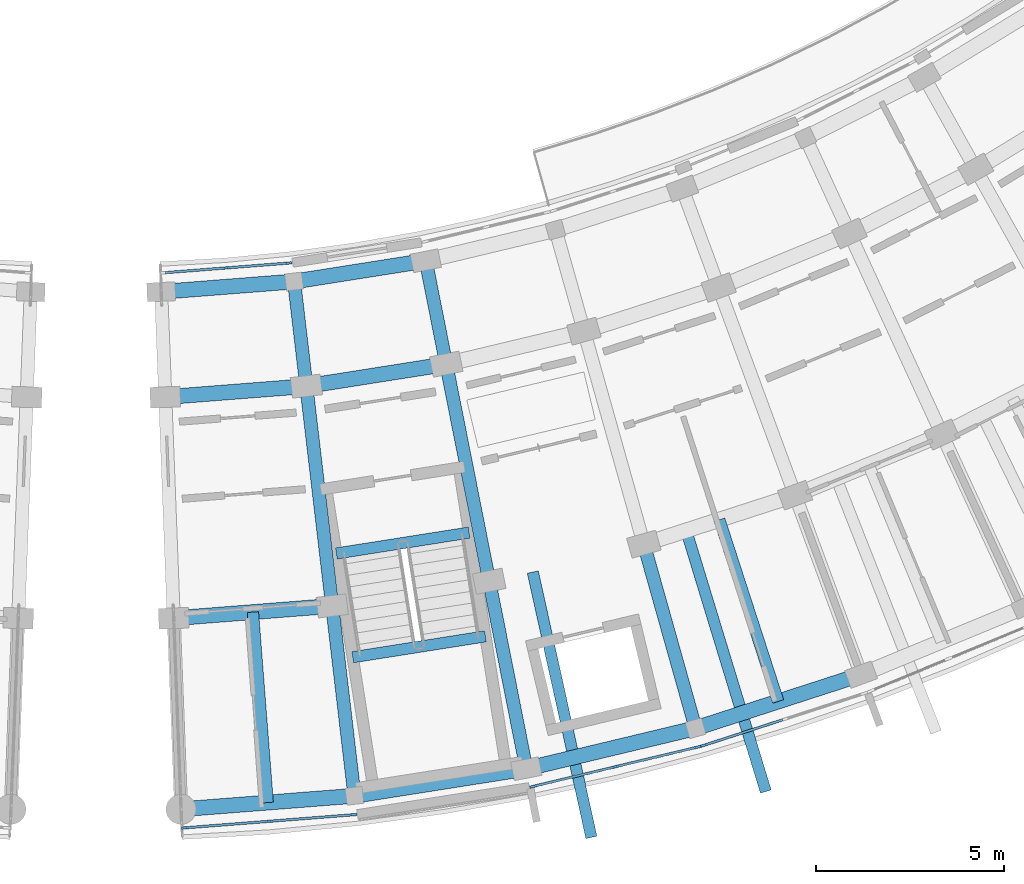
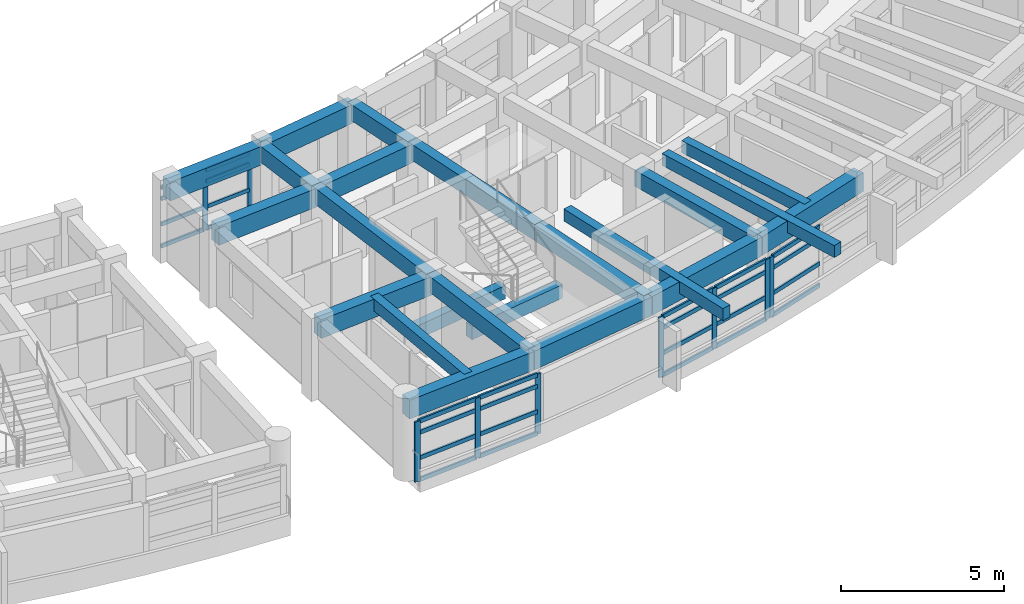
# One storey, part 16 of 56: 37 members, 22 beams, 4 elements without a shape of their own.
"""IFC4 building model written with IfcOpenShell, lengths in metres."""

import ifcopenshell
import ifcopenshell.guid

model = None  # the IFC model being written
_history = None  # IfcOwnerHistory: only IFC2X3 demands one
_inside = {}  # id of a spatial element -> (the spatial element, [elements in it])
_under = {}  # id of a project, library or spatial element -> (it, [spatial elements below it])
_declared = {}  # id of a project -> (the project, [libraries it declares])
_typed = {}  # id of a type object -> (the type object, [elements of that type])
_made_of = {}  # id of a material, layer set ... -> (it, [elements and type objects made of it])


def new_model(schema):
    """Start an empty IFC model of exactly this schema.

    Asked for "IFC4X3", IfcOpenShell would pick the latest addendum, in which some entities
    have other attributes; the version numbers below select the first issue.
    IFC2X3 requires an IfcOwnerHistory on every rooted entity: one is made here for all.
    """
    global model, _history
    if schema == "IFC4X3":
        model = ifcopenshell.file(schema_version=(4, 3, 0, 0))
    else:
        model = ifcopenshell.file(schema=schema)
    _inside.clear()
    _under.clear()
    _declared.clear()
    _typed.clear()
    _made_of.clear()
    _history = None
    if model.schema == "IFC2X3":
        org = make("IfcOrganization", Name="unknown")
        user = make(
            "IfcPersonAndOrganization",
            ThePerson=make("IfcPerson", FamilyName="unknown"),
            TheOrganization=org,
        )
        app = make(
            "IfcApplication",
            ApplicationDeveloper=org,
            Version="unknown",
            ApplicationFullName="unknown",
            ApplicationIdentifier="unknown",
        )
        _history = make(
            "IfcOwnerHistory",
            OwningUser=user,
            OwningApplication=app,
            ChangeAction="ADDED",
            CreationDate=0,
        )
    return model


def make(cls, **values):
    """One entity of the class cls with the attributes given. An attribute that is None is left unset."""
    return model.create_entity(
        cls, **{name: value for name, value in values.items() if value is not None}
    )


def rooted(cls, **values):
    """An entity with a GlobalId (a new one), such as an element, a storey or a relation."""
    return make(cls, GlobalId=ifcopenshell.guid.new(), OwnerHistory=_history, **values)


def si_unit(unit_type, name, prefix=None):
    """IfcSIUnit, for example si_unit("LENGTHUNIT", "METRE", prefix="MILLI")."""
    return make("IfcSIUnit", UnitType=unit_type, Prefix=prefix, Name=name)


def assignment(units):
    """IfcUnitAssignment: the units of a project."""
    return None if units is None else make("IfcUnitAssignment", Units=units)


def point(xyz):
    """IfcCartesianPoint."""
    return None if xyz is None else make("IfcCartesianPoint", Coordinates=xyz)


def direction(xyz):
    """IfcDirection."""
    return None if xyz is None else make("IfcDirection", DirectionRatios=xyz)


def frame(location, z_axis=None, x_axis=None):
    """IfcAxis2Placement3D, a coordinate frame: its origin and axes. An axis left out is left unset."""
    return make(
        "IfcAxis2Placement3D",
        Location=point(location),
        Axis=direction(z_axis),
        RefDirection=direction(x_axis),
    )


def frame_2d(location, x_axis=None):
    """IfcAxis2Placement2D, a coordinate frame in the plane: its origin and x axis."""
    return make(
        "IfcAxis2Placement2D", Location=point(location), RefDirection=direction(x_axis)
    )


def origin():
    """The frame at (0, 0, 0) with its axes left unset."""
    return frame((0.0, 0.0, 0.0))


def origin_2d():
    """The frame at (0, 0) in the plane with its x axis left unset."""
    return frame_2d((0.0, 0.0))


def place(relative_to, where):
    """IfcLocalPlacement: puts the frame where relative to a parent placement (None: the world)."""
    return make(
        "IfcLocalPlacement", PlacementRelTo=relative_to, RelativePlacement=where
    )


def context(
    kind, dimensions, precision=None, world=None, true_north=None, identifier=None
):
    """IfcGeometricRepresentationContext, for example the 3D "Model" context."""
    return make(
        "IfcGeometricRepresentationContext",
        ContextIdentifier=identifier,
        ContextType=kind,
        CoordinateSpaceDimension=dimensions,
        Precision=precision,
        WorldCoordinateSystem=world,
        TrueNorth=true_north,
    )


def subcontext(parent, identifier, kind, view, scale=None):
    """IfcGeometricRepresentationSubContext, for example "Body" below "Model"."""
    return make(
        "IfcGeometricRepresentationSubContext",
        ContextIdentifier=identifier,
        ContextType=kind,
        ParentContext=parent,
        TargetScale=scale,
        TargetView=view,
    )


def project(units=None, contexts=None):
    """IfcProject with its units and contexts."""
    return rooted(
        "IfcProject",
        Name="project",
        RepresentationContexts=contexts,
        UnitsInContext=assignment(units),
    )


def spatial(cls, under=None, at=None, **own):
    """A site, building, storey or space (cls), placed at a placement, below another one or the project."""
    s = rooted(cls, ObjectPlacement=at, **own)
    if under is not None:
        _under.setdefault(under.id(), (under, []))[1].append(s)
    return s


def profile(cls, at=None, kind="AREA", **sizes):
    """A parametric profile (cls). Its sizes go by their IFC names, for example OverallWidth=200.0."""
    return make(cls, ProfileType=kind, Position=at, **sizes)


def rectangle(**sizes):
    """IfcRectangleProfileDef."""
    return profile("IfcRectangleProfileDef", **sizes)


def extrude(swept, where, along, depth):
    """IfcExtrudedAreaSolid: the profile swept, set in the frame where, extruded along a direction by depth."""
    return make(
        "IfcExtrudedAreaSolid",
        SweptArea=swept,
        Position=where,
        ExtrudedDirection=direction(along),
        Depth=depth,
    )


def shape(context_of_items, identifier, shape_type, items):
    """IfcShapeRepresentation: the items that make up one representation, for example the "Body"."""
    return make(
        "IfcShapeRepresentation",
        ContextOfItems=context_of_items,
        RepresentationIdentifier=identifier,
        RepresentationType=shape_type,
        Items=items,
    )


def material(Name=None, Category=None):
    """IfcMaterial."""
    return make("IfcMaterial", Name=Name, Category=Category)


def material_profile(
    of_material, cross_section, Name=None, Category=None, Priority=None
):
    """IfcMaterialProfile: a cross section and its material."""
    return make(
        "IfcMaterialProfile",
        Name=Name,
        Material=of_material,
        Profile=cross_section,
        Priority=Priority,
        Category=Category,
    )


def profile_set(profiles, Name=None, composite=None):
    """IfcMaterialProfileSet."""
    return make(
        "IfcMaterialProfileSet",
        Name=Name,
        MaterialProfiles=profiles,
        CompositeProfile=composite,
    )


def made_of(thing, what):
    """Note that an element or type object is made of a material, layer set ...; save() writes the relation."""
    if what is not None:
        _made_of.setdefault(what.id(), (what, []))[1].append(thing)
    return thing


def type_object(cls, material=None, **own):
    """A type object (cls), such as IfcWallType, which elements share."""
    return made_of(rooted(cls, **own), material)


def element(
    cls,
    number,
    at=None,
    inside=None,
    cuts=None,
    type_object=None,
    material=None,
    context=None,
    identifier="Body",
    shape_type=None,
    held_by="IfcProductDefinitionShape",
    body=None,
    shapes=None,
    **own,
):
    """One element of the class cls, such as IfcWall. Its Tag is "e" and its number.

    at: its placement. inside: the storey or other place that contains it. cuts: it is an
    opening in that element (IfcRelVoidsElement). A single representation is given by context,
    identifier, shape_type and body (its items); several are given by shapes. held_by: the class
    of the entity that holds the representations. save() writes the other relations.
    """
    e = rooted(cls, Tag="e%d" % number, ObjectPlacement=at, **own)
    if body is not None:
        shapes = [shape(context, identifier, shape_type, body)]
    if shapes is not None:
        e.Representation = make(held_by, Representations=shapes)
    if inside is not None:
        _inside.setdefault(inside.id(), (inside, []))[1].append(e)
    if cuts is not None:
        rooted(
            "IfcRelVoidsElement", RelatingBuildingElement=cuts, RelatedOpeningElement=e
        )
    if type_object is not None:
        _typed.setdefault(type_object.id(), (type_object, []))[1].append(e)
    return made_of(e, material)


def aggregate(whole, parts):
    """IfcRelAggregates: a whole, such as a stair, and the parts it consists of."""
    return rooted("IfcRelAggregates", RelatingObject=whole, RelatedObjects=parts)


def save(model, path):
    """Write the relations noted so far, then the file.

    IfcRelAggregates (storeys below a building ...), IfcRelContainedInSpatialStructure (elements
    in a storey), IfcRelDefinesByType, IfcRelAssociatesMaterial and IfcRelDeclares: one each for
    every whole, place, type object, material and project.
    """
    for whole, parts in _under.values():
        aggregate(whole, parts)
    for where, things in _inside.values():
        rooted(
            "IfcRelContainedInSpatialStructure",
            RelatedElements=things,
            RelatingStructure=where,
        )
    for kind, things in _typed.values():
        rooted("IfcRelDefinesByType", RelatedObjects=things, RelatingType=kind)
    for what, things in _made_of.values():
        rooted("IfcRelAssociatesMaterial", RelatedObjects=things, RelatingMaterial=what)
    for by, libraries in _declared.values():
        rooted("IfcRelDeclares", RelatingContext=by, RelatedDefinitions=libraries)
    model.write(path)


model = new_model("IFC4")

# Units and contexts
model_context = context("Model", 3, precision=1e-05, world=origin(), true_north=direction((0.0, 1.0)))
body_context = subcontext(model_context, "Body", "Model", "MODEL_VIEW")
ifc_project = project(units=[si_unit("LENGTHUNIT", "METRE"), si_unit("AREAUNIT", "SQUARE_METRE"), si_unit("VOLUMEUNIT", "CUBIC_METRE"), si_unit("PLANEANGLEUNIT", "RADIAN"), si_unit("MASSUNIT", "GRAM", prefix="KILO")], contexts=[model_context])

# Site, building, storey
site_placement = place(None, origin())
site = spatial("IfcSite", under=ifc_project, at=site_placement, CompositionType="ELEMENT")
building_placement = place(site_placement, origin())
building = spatial("IfcBuilding", under=site, at=building_placement, Name="Zimvara Arc Housing Community", CompositionType="ELEMENT")
storey_placement = place(building_placement, frame((0.0, 0.0, 17.39990234375)))
storey = spatial("IfcBuildingStorey", under=building, at=storey_placement, Name="L05", CompositionType="ELEMENT", Elevation=17.39990234375)

# Beams
ifc_material_1 = material(Name="Concrete C40/50", Category="concrete")
ifc_material_profile_1 = material_profile(ifc_material_1, rectangle(XDim=0.300048828125, YDim=0.449951171875, at=origin_2d()), Name="RC 300x450")
ifc_profile_set_1 = profile_set([ifc_material_profile_1], Name="Concrete C40/50")
beam_type_1 = type_object("IfcBeamType", Name="BM-RC-300x450", PredefinedType="JOIST", material=ifc_profile_set_1)
beam_1_placement = place(storey_placement, frame((130.151123046875, 56.263427734375, 2.64501953125), z_axis=(0.077579175615, -0.996986194243, 0.0), x_axis=(0.996986194243, 0.077579175615, 0.0)))
element("IfcBeam", 1, at=beam_1_placement, inside=storey, type_object=beam_type_1, Name="bm:blkD:L05:joist:b0", PredefinedType="JOIST", context=body_context, shape_type="SweptSolid", body=[
    extrude(rectangle(XDim=0.300048828125, YDim=0.449951171875, at=origin_2d()), origin(), (0.0, 0.0, 1.0), 5.076171875),
])
beam_2_placement = place(storey_placement, frame((142.547607421875, 58.718017578125, 2.64501953125), z_axis=(0.308208278328, -0.951318904033, 0.0), x_axis=(0.951318904033, 0.308208278328, 0.0)))
element("IfcBeam", 2, at=beam_2_placement, inside=storey, type_object=beam_type_1, Name="bm:blkD:L05:joist:b3", PredefinedType="JOIST", context=body_context, shape_type="SweptSolid", body=[
    extrude(rectangle(XDim=0.300048828125, YDim=0.449951171875, at=origin_2d()), origin(), (0.0, 0.0, 1.0), 5.075927734375),
])
for number, where, z_axis, x_axis, name in (
    (3, (137.587890625, 57.3271484375, 2.6650390625), (0.215734466533, -0.97645206741, 0.0), (0.97645206741, 0.215734466533, 0.0), "bm:blkD:L05:cant_out:b2"),
    (4, (141.673583984375, 58.39990234375, 2.6650390625), (0.29171593415, -0.95650499934, 0.0), (0.95650499934, 0.29171593415, 0.0), "bm:blkD:L05:cant_out:b3"),
):
    element("IfcBeam", number, at=place(storey_placement, frame(where, z_axis=z_axis, x_axis=x_axis)), inside=storey, type_object=beam_type_1, Name=name, PredefinedType="JOIST", context=body_context, shape_type="SweptSolid", body=[
        extrude(rectangle(XDim=0.300048828125, YDim=0.449951171875, at=origin_2d()), origin(), (0.0, 0.0, 1.0), 7.219970703125),
    ])
ifc_material_2 = material(Name="Concrete C40/50", Category="concrete")
ifc_material_profile_2 = material_profile(ifc_material_2, rectangle(XDim=0.300048828125, YDim=0.5, at=origin_2d()), Name="RC 300x500")
ifc_profile_set_2 = profile_set([ifc_material_profile_2], Name="Concrete C40/50")
beam_type_2 = type_object("IfcBeamType", Name="BM-RC-300x500", PredefinedType="BEAM", material=ifc_profile_set_2)
for number, where, z_axis, x_axis, name in (
    (5, (132.36865234375, 57.8203125, -0.25), (0.987823881982, 0.155576277709, 0.0), (-0.155576277709, 0.987823881982, 0.0), "bm:stair_trim:ST-D1:L05:near"),
    (6, (132.802734375, 55.064208984375, 1.300048828125), (0.987823881982, 0.155576277709, 0.0), (-0.155576277709, 0.987823881982, 0.0), "bm:stair_trim:ST-D1:L05:mid"),
):
    element("IfcBeam", number, at=place(storey_placement, frame(where, z_axis=z_axis, x_axis=x_axis)), inside=storey, type_object=beam_type_2, Name=name, PredefinedType="BEAM", context=body_context, shape_type="SweptSolid", body=[
        extrude(rectangle(XDim=0.300048828125, YDim=0.5, at=origin_2d()), origin(), (0.0, 0.0, 1.0), 3.570068359375),
    ])
ifc_material_3 = material(Name="Concrete C40/50", Category="concrete")
ifc_material_profile_3 = material_profile(ifc_material_3, rectangle(XDim=0.35009765625, YDim=0.60009765625, at=origin_2d()), Name="RC 350x600")
ifc_profile_set_3 = profile_set([ifc_material_profile_3], Name="Concrete C40/50")
beam_type_3 = type_object("IfcBeamType", Name="BM-RC-350x600", PredefinedType="BEAM", material=ifc_profile_set_3)
beam_3_placement = place(storey_placement, frame((131.244140625, 65.048095703125, 2.570068359375), z_axis=(0.116669233141, -0.993170826212, 0.0), x_axis=(0.993170826212, 0.116669233141, 0.0)))
element("IfcBeam", 7, at=beam_3_placement, inside=storey, type_object=beam_type_3, Name="bm:blkD:L05:rad:b1:r01", PredefinedType="BEAM", context=body_context, shape_type="SweptSolid", body=[
    extrude(rectangle(XDim=0.35009765625, YDim=0.60009765625, at=origin_2d()), origin(), (0.0, 0.0, 1.0), 2.7998046875),
])
beam_4_placement = place(storey_placement, frame((131.57080078125, 62.267333984375, 2.570068359375), z_axis=(0.116672613124, -0.993170429154, 0.0), x_axis=(0.993170429154, 0.116672613124, 0.0)))
element("IfcBeam", 8, at=beam_4_placement, inside=storey, type_object=beam_type_3, Name="bm:blkD:L05:rad:b1:r12", PredefinedType="BEAM", context=body_context, shape_type="SweptSolid", body=[
    extrude(rectangle(XDim=0.35009765625, YDim=0.60009765625, at=origin_2d()), origin(), (0.0, 0.0, 1.0), 5.8798828125),
])
beam_5_placement = place(storey_placement, frame((132.2568359375, 56.427490234375, 2.570068359375), z_axis=(0.116685098261, -0.993168962384, 0.0), x_axis=(0.993168962384, 0.116685098261, 0.0)))
element("IfcBeam", 9, at=beam_5_placement, inside=storey, type_object=beam_type_3, Name="bm:blkD:L05:rad:b1:r23", PredefinedType="BEAM", context=body_context, shape_type="SweptSolid", body=[
    extrude(rectangle(XDim=0.35009765625, YDim=0.60009765625, at=origin_2d()), origin(), (0.0, 0.0, 1.0), 5.080078125),
])
beam_6_placement = place(storey_placement, frame((134.743896484375, 65.599365234375, 2.570068359375), z_axis=(0.194170755423, -0.980967745514, 0.0), x_axis=(0.980967745514, 0.194170755423, 0.0)))
element("IfcBeam", 10, at=beam_6_placement, inside=storey, type_object=beam_type_3, Name="bm:blkD:L05:rad:b2:r01", PredefinedType="BEAM", context=body_context, shape_type="SweptSolid", body=[
    extrude(rectangle(XDim=0.35009765625, YDim=0.60009765625, at=origin_2d()), origin(), (0.0, 0.0, 1.0), 2.800048828125),
])
beam_7_placement = place(storey_placement, frame((135.28759765625, 62.8525390625, 2.570068359375), z_axis=(0.194239306935, -0.980954174078, 0.0), x_axis=(0.980954174078, 0.194239306935, 0.0)))
element("IfcBeam", 11, at=beam_7_placement, inside=storey, type_object=beam_type_3, Name="bm:blkD:L05:rad:b2:r12", PredefinedType="BEAM", context=body_context, shape_type="SweptSolid", body=[
    extrude(rectangle(XDim=0.35009765625, YDim=0.60009765625, at=origin_2d()), origin(), (0.0, 0.0, 1.0), 5.8798828125),
])
beam_8_placement = place(storey_placement, frame((136.4296875, 57.084716796875, 2.570068359375), z_axis=(0.194248925774, -0.980952269397, 0.0), x_axis=(0.980952269397, 0.194248925774, 0.0)))
element("IfcBeam", 12, at=beam_8_placement, inside=storey, type_object=beam_type_3, Name="bm:blkD:L05:rad:b2:r23", PredefinedType="BEAM", context=body_context, shape_type="SweptSolid", body=[
    extrude(rectangle(XDim=0.35009765625, YDim=0.60009765625, at=origin_2d()), origin(), (0.0, 0.0, 1.0), 5.080078125),
])
beam_9_placement = place(storey_placement, frame((140.538330078125, 58.067138671875, 2.570068359375), z_axis=(0.270579949442, -0.962697507507, 0.0), x_axis=(0.962697507507, 0.270579949442, 0.0)))
element("IfcBeam", 13, at=beam_9_placement, inside=storey, type_object=beam_type_3, Name="bm:blkD:L05:rad:b3:r23", PredefinedType="BEAM", context=body_context, shape_type="SweptSolid", body=[
    extrude(rectangle(XDim=0.35009765625, YDim=0.60009765625, at=origin_2d()), origin(), (0.0, 0.0, 1.0), 5.079833984375),
])
ifc_material_4 = material(Name="Concrete C40/50", Category="concrete")
ifc_material_profile_4 = material_profile(ifc_material_4, rectangle(XDim=0.39990234375, YDim=0.699951171875, at=origin_2d()), Name="RC 400x700")
ifc_profile_set_4 = profile_set([ifc_material_profile_4], Name="Concrete C40/50")
beam_type_4 = type_object("IfcBeamType", Name="BM-RC-400x700", PredefinedType="BEAM", material=ifc_profile_set_4)
beam_10_placement = place(storey_placement, frame((127.712158203125, 64.773193359375, 2.52001953125), z_axis=(0.996984758472, 0.077597624804, 0.0), x_axis=(-0.077597624804, 0.996984758472, 0.0)))
element("IfcBeam", 14, at=beam_10_placement, inside=storey, type_object=beam_type_4, Name="bm:blkD:L05:chord:r0:b0", PredefinedType="BEAM", context=body_context, shape_type="SweptSolid", body=[
    extrude(rectangle(XDim=0.39990234375, YDim=0.699951171875, at=origin_2d()), origin(), (0.0, 0.0, 1.0), 3.542724609375),
])
beam_11_placement = place(storey_placement, frame((131.244140625, 65.048095703125, 2.52001953125), z_axis=(0.98782044699, 0.155598086453, 0.0), x_axis=(-0.155598086453, 0.98782044699, 0.0)))
element("IfcBeam", 15, at=beam_11_placement, inside=storey, type_object=beam_type_4, Name="bm:blkD:L05:chord:r0:b1", PredefinedType="BEAM", context=body_context, shape_type="SweptSolid", body=[
    extrude(rectangle(XDim=0.39990234375, YDim=0.699951171875, at=origin_2d()), origin(), (0.0, 0.0, 1.0), 3.54296875),
])
beam_12_placement = place(storey_placement, frame((127.819580078125, 61.975341796875, 2.52001953125), z_axis=(0.996984223393, 0.077604499263, 0.0), x_axis=(-0.077604499263, 0.996984223393, 0.0)))
element("IfcBeam", 16, at=beam_12_placement, inside=storey, type_object=beam_type_4, Name="bm:blkD:L05:chord:r1:b0", PredefinedType="BEAM", context=body_context, shape_type="SweptSolid", body=[
    extrude(rectangle(XDim=0.39990234375, YDim=0.699951171875, at=origin_2d()), origin(), (0.0, 0.0, 1.0), 3.762451171875),
])
beam_13_placement = place(storey_placement, frame((131.57080078125, 62.267333984375, 2.52001953125), z_axis=(0.987830739488, 0.155532730068, 0.0), x_axis=(-0.155532730068, 0.987830739488, 0.0)))
element("IfcBeam", 17, at=beam_13_placement, inside=storey, type_object=beam_type_4, Name="bm:blkD:L05:chord:r1:b1", PredefinedType="BEAM", context=body_context, shape_type="SweptSolid", body=[
    extrude(rectangle(XDim=0.39990234375, YDim=0.699951171875, at=origin_2d()), origin(), (0.0, 0.0, 1.0), 3.7626953125),
])
beam_14_placement = place(storey_placement, frame((128.045166015625, 56.099609375, 2.52001953125), z_axis=(0.996983350574, 0.077615711543, 0.0), x_axis=(-0.077615711543, 0.996983350574, 0.0)))
element("IfcBeam", 18, at=beam_14_placement, inside=storey, type_object=beam_type_4, Name="bm:blkD:L05:chord:r2:b0", PredefinedType="BEAM", context=body_context, shape_type="SweptSolid", body=[
    extrude(rectangle(XDim=0.39990234375, YDim=0.699951171875, at=origin_2d()), origin(), (0.0, 0.0, 1.0), 4.224365234375),
])
for number, where, z_axis, x_axis, name in (
    (19, (128.240234375, 51.0234375, 2.52001953125), (0.996986694494, 0.077572746515, 0.0), (-0.077572746515, 0.996986694494, 0.0), "bm:blkD:L05:chord:r3:b0"),
    (20, (132.849609375, 51.382080078125, 2.52001953125), (0.987824544931, 0.155572068287, 0.0), (-0.155572068287, 0.987824544931, 0.0), "bm:blkD:L05:chord:r3:b1"),
):
    element("IfcBeam", number, at=place(storey_placement, frame(where, z_axis=z_axis, x_axis=x_axis)), inside=storey, type_object=beam_type_4, Name=name, PredefinedType="BEAM", context=body_context, shape_type="SweptSolid", body=[
        extrude(rectangle(XDim=0.39990234375, YDim=0.699951171875, at=origin_2d()), origin(), (0.0, 0.0, 1.0), 4.623291015625),
    ])
beam_15_placement = place(storey_placement, frame((137.41650390625, 52.101318359375, 2.52001953125), z_axis=(0.972567724572, 0.232619906974, 0.0), x_axis=(-0.232619906974, 0.972567724572, 0.0)))
element("IfcBeam", 21, at=beam_15_placement, inside=storey, type_object=beam_type_4, Name="bm:blkD:L05:chord:r3:b2", PredefinedType="BEAM", context=body_context, shape_type="SweptSolid", body=[
    extrude(rectangle(XDim=0.39990234375, YDim=0.699951171875, at=origin_2d()), origin(), (0.0, 0.0, 1.0), 4.623046875),
])
beam_16_placement = place(storey_placement, frame((141.912841796875, 53.1767578125, 2.52001953125), z_axis=(0.951331650007, 0.308168933695, 0.0), x_axis=(-0.308168933695, 0.951331650007, 0.0)))
element("IfcBeam", 22, at=beam_16_placement, inside=storey, type_object=beam_type_4, Name="bm:blkD:L05:chord:r3:b3", PredefinedType="BEAM", context=body_context, shape_type="SweptSolid", body=[
    extrude(rectangle(XDim=0.39990234375, YDim=0.699951171875, at=origin_2d()), origin(), (0.0, 0.0, 1.0), 4.62353515625),
])

# Curtain wall, members
ifc_material_5 = material(Name="Anodised Aluminium AW-6063", Category="aluminium")
curtain_wall_type_1 = type_object("IfcCurtainWallType", Name="CW-SYS-08", PredefinedType="USERDEFINED", material=ifc_material_5)
curtain_wall_1_placement = place(storey_placement, origin())
curtain_wall_1 = element("IfcCurtainWall", 23, at=curtain_wall_1_placement, inside=storey, type_object=curtain_wall_type_1, Name="cw:blkD:L05:in:b0", ObjectType="CURTAIN WALL", PredefinedType="USERDEFINED")
ifc_material_6 = material(Name="Anodised Aluminium AW-6063", Category="aluminium")
ifc_material_profile_5 = material_profile(ifc_material_6, rectangle(XDim=0.06494140625, YDim=0.179931640625, at=origin_2d()), Name="ALU 65x180")
ifc_profile_set_5 = profile_set([ifc_material_profile_5], Name="Anodised Aluminium AW-6063")
member_type_1 = type_object("IfcMemberType", Name="CWM-65x150", PredefinedType="MULLION", material=ifc_profile_set_5)
member_1_placement = place(storey_placement, frame((129.439453125, 65.40869140625, 0.0), z_axis=(0.0, 0.0, 1.0), x_axis=(-0.077590099579, 0.996985344149, 0.0)))
member_1 = element("IfcMember", 24, at=member_1_placement, type_object=member_type_1, Name="CW08 mullion 2", PredefinedType="MULLION", context=body_context, shape_type="SweptSolid", body=[
    extrude(rectangle(XDim=0.06494140625, YDim=0.179931640625, at=origin_2d()), origin(), (0.0, 0.0, 1.0), 2.25),
])
member_2_placement = place(storey_placement, frame((131.09375, 65.53759765625, 0.0), z_axis=(0.0, 0.0, 1.0), x_axis=(-0.077590099579, 0.996985344149, 0.0)))
member_2 = element("IfcMember", 25, at=member_2_placement, type_object=member_type_1, Name="CW08 mullion 3", PredefinedType="MULLION", context=body_context, shape_type="SweptSolid", body=[
    extrude(rectangle(XDim=0.06494140625, YDim=0.179931640625, at=origin_2d()), origin(), (0.0, 0.0, 1.0), 2.25),
])

ifc_material_7 = material(Name="Anodised Aluminium AW-6063", Category="aluminium")
curtain_wall_type_2 = type_object("IfcCurtainWallType", Name="CW-SYS-07", PredefinedType="USERDEFINED", material=ifc_material_7)
curtain_wall_2_placement = place(storey_placement, origin())
curtain_wall_2 = element("IfcCurtainWall", 26, at=curtain_wall_2_placement, inside=storey, type_object=curtain_wall_type_2, Name="cw:blkD:L05:out:b0", ObjectType="CURTAIN WALL", PredefinedType="USERDEFINED")
ifc_material_8 = material(Name="Anodised Aluminium AW-6063", Category="aluminium")
ifc_material_profile_6 = material_profile(ifc_material_8, rectangle(XDim=0.06494140625, YDim=0.195068359375, at=origin_2d()), Name="ALU 65x195")
ifc_profile_set_6 = profile_set([ifc_material_profile_6], Name="Anodised Aluminium AW-6063")
member_type_2 = type_object("IfcMemberType", Name="CWM-65x180", PredefinedType="MULLION", material=ifc_profile_set_6)
member_3_placement = place(storey_placement, frame((128.351806640625, 50.531005859375, 0.0), z_axis=(0.0, 0.0, 1.0), x_axis=(-0.077589538059, 0.996985387849, 0.0)))
member_3 = element("IfcMember", 27, at=member_3_placement, type_object=member_type_2, Name="CW07 mullion 1", PredefinedType="MULLION", context=body_context, shape_type="SweptSolid", body=[
    extrude(rectangle(XDim=0.06494140625, YDim=0.195068359375, at=origin_2d()), origin(), (0.0, 0.0, 1.0), 2.25),
])
member_4_placement = place(storey_placement, frame((130.583740234375, 50.70458984375, 0.0), z_axis=(0.0, 0.0, 1.0), x_axis=(-0.077589538059, 0.996985387849, 0.0)))
member_4 = element("IfcMember", 28, at=member_4_placement, type_object=member_type_2, Name="CW07 mullion 2", PredefinedType="MULLION", context=body_context, shape_type="SweptSolid", body=[
    extrude(rectangle(XDim=0.06494140625, YDim=0.195068359375, at=origin_2d()), origin(), (0.0, 0.0, 1.0), 2.25),
])
member_5_placement = place(storey_placement, frame((132.815673828125, 50.87841796875, 0.0), z_axis=(0.0, 0.0, 1.0), x_axis=(-0.077589538059, 0.996985387849, 0.0)))
member_5 = element("IfcMember", 29, at=member_5_placement, type_object=member_type_2, Name="CW07 mullion 3", PredefinedType="MULLION", context=body_context, shape_type="SweptSolid", body=[
    extrude(rectangle(XDim=0.06494140625, YDim=0.195068359375, at=origin_2d()), origin(), (0.0, 0.0, 1.0), 2.25),
])

ifc_material_9 = material(Name="Anodised Aluminium AW-6063", Category="aluminium")
curtain_wall_type_3 = type_object("IfcCurtainWallType", Name="CW-SYS-01", PredefinedType="USERDEFINED", material=ifc_material_9)
curtain_wall_3_placement = place(storey_placement, origin())
curtain_wall_3 = element("IfcCurtainWall", 30, at=curtain_wall_3_placement, inside=storey, type_object=curtain_wall_type_3, Name="cw:blkD:L05:out:b2", ObjectType="CURTAIN WALL", PredefinedType="USERDEFINED")
member_6_placement = place(storey_placement, frame((137.603515625, 51.63232421875, 0.0), z_axis=(0.0, 0.0, 1.0), x_axis=(-0.232596798101, 0.97257325149, 0.0)))
member_6 = element("IfcMember", 31, at=member_6_placement, type_object=member_type_2, Name="CW01 mullion 1", PredefinedType="MULLION", context=body_context, shape_type="SweptSolid", body=[
    extrude(rectangle(XDim=0.06494140625, YDim=0.195068359375, at=origin_2d()), origin(), (0.0, 0.0, 1.0), 2.25),
])
member_7_placement = place(storey_placement, frame((139.781005859375, 52.153076171875, 0.0), z_axis=(0.0, 0.0, 1.0), x_axis=(-0.232596798101, 0.97257325149, 0.0)))
member_7 = element("IfcMember", 32, at=member_7_placement, type_object=member_type_2, Name="CW01 mullion 2", PredefinedType="MULLION", context=body_context, shape_type="SweptSolid", body=[
    extrude(rectangle(XDim=0.06494140625, YDim=0.195068359375, at=origin_2d()), origin(), (0.0, 0.0, 1.0), 2.25),
])
member_8_placement = place(storey_placement, frame((141.958251953125, 52.673828125, 0.0), z_axis=(0.0, 0.0, 1.0), x_axis=(-0.232596798101, 0.97257325149, 0.0)))
member_8 = element("IfcMember", 33, at=member_8_placement, type_object=member_type_2, Name="CW01 mullion 3", PredefinedType="MULLION", context=body_context, shape_type="SweptSolid", body=[
    extrude(rectangle(XDim=0.06494140625, YDim=0.195068359375, at=origin_2d()), origin(), (0.0, 0.0, 1.0), 2.25),
])

# Curtain wall, member
ifc_material_10 = material(Name="Anodised Aluminium AW-6063", Category="aluminium")
curtain_wall_type_4 = type_object("IfcCurtainWallType", Name="CW-SYS-03", PredefinedType="USERDEFINED", material=ifc_material_10)
curtain_wall_4_placement = place(storey_placement, origin())
curtain_wall_4 = element("IfcCurtainWall", 34, at=curtain_wall_4_placement, inside=storey, type_object=curtain_wall_type_4, Name="cw:blkD:L05:out:b3", ObjectType="CURTAIN WALL", PredefinedType="USERDEFINED")
member_9_placement = place(storey_placement, frame((142.13623046875, 52.723876953125, 0.0), z_axis=(0.0, 0.0, 1.0), x_axis=(-0.308184952203, 0.951326460914, 0.0)))
member_9 = element("IfcMember", 35, at=member_9_placement, type_object=member_type_2, Name="CW03 mullion 1", PredefinedType="MULLION", context=body_context, shape_type="SweptSolid", body=[
    extrude(rectangle(XDim=0.06494140625, YDim=0.195068359375, at=origin_2d()), origin(), (0.0, 0.0, 1.0), 2.25),
])

# Member
ifc_material_11 = material(Name="Anodised Aluminium AW-6063", Category="aluminium")
ifc_material_profile_7 = material_profile(ifc_material_11, rectangle(XDim=0.06494140625, YDim=0.139892578125, at=origin_2d()), Name="ALU 65x140")
ifc_profile_set_7 = profile_set([ifc_material_profile_7], Name="Anodised Aluminium AW-6063")
member_type_3 = type_object("IfcMemberType", Name="CWT-65x120", PredefinedType="USERDEFINED", material=ifc_profile_set_7)
member_10_placement = place(storey_placement, frame((127.8173828125, 65.282470703125, 0.03271484375), z_axis=(0.996981987707, 0.077633215753, 0.0), x_axis=(-0.077633215753, 0.996981987707, 0.0)))
member_10 = element("IfcMember", 36, at=member_10_placement, type_object=member_type_3, Name="CW08 transom 1.1", ObjectType="TRANSOM", PredefinedType="USERDEFINED", context=body_context, shape_type="SweptSolid", body=[
    extrude(rectangle(XDim=0.06494140625, YDim=0.139892578125, at=origin_2d()), origin(), (0.0, 0.0, 1.0), 1.594482421875),
])

member_11_placement = place(storey_placement, frame((127.8173828125, 65.282470703125, 0.85009765625), z_axis=(0.996981987707, 0.077633215753, 0.0), x_axis=(-0.077633215753, 0.996981987707, 0.0)))
member_11 = element("IfcMember", 37, at=member_11_placement, type_object=member_type_3, Name="CW08 transom 1.2", ObjectType="TRANSOM", PredefinedType="USERDEFINED", context=body_context, shape_type="SweptSolid", body=[
    extrude(rectangle(XDim=0.06494140625, YDim=0.139892578125, at=origin_2d()), origin(), (0.0, 0.0, 1.0), 1.594482421875),
])

member_12_placement = place(storey_placement, frame((127.8173828125, 65.282470703125, 1.800048828125), z_axis=(0.996981987707, 0.077633215753, 0.0), x_axis=(-0.077633215753, 0.996981987707, 0.0)))
member_12 = element("IfcMember", 38, at=member_12_placement, type_object=member_type_3, Name="CW08 transom 1.3", ObjectType="TRANSOM", PredefinedType="USERDEFINED", context=body_context, shape_type="SweptSolid", body=[
    extrude(rectangle(XDim=0.06494140625, YDim=0.139892578125, at=origin_2d()), origin(), (0.0, 0.0, 1.0), 1.594482421875),
])

member_13_placement = place(storey_placement, frame((127.8173828125, 65.282470703125, 2.217529296875), z_axis=(0.996981987707, 0.077633215753, 0.0), x_axis=(-0.077633215753, 0.996981987707, 0.0)))
member_13 = element("IfcMember", 39, at=member_13_placement, type_object=member_type_3, Name="CW08 transom 1.4", ObjectType="TRANSOM", PredefinedType="USERDEFINED", context=body_context, shape_type="SweptSolid", body=[
    extrude(rectangle(XDim=0.06494140625, YDim=0.139892578125, at=origin_2d()), origin(), (0.0, 0.0, 1.0), 1.594482421875),
])

member_14_placement = place(storey_placement, frame((129.4716796875, 65.411376953125, 0.03271484375), z_axis=(0.996993827762, 0.077481013185, 0.0), x_axis=(-0.077481013185, 0.996993827762, 0.0)))
member_14 = element("IfcMember", 40, at=member_14_placement, type_object=member_type_3, Name="CW08 transom 2.1", ObjectType="TRANSOM", PredefinedType="USERDEFINED", context=body_context, shape_type="SweptSolid", body=[
    extrude(rectangle(XDim=0.06494140625, YDim=0.139892578125, at=origin_2d()), origin(), (0.0, 0.0, 1.0), 1.594482421875),
])

member_15_placement = place(storey_placement, frame((129.4716796875, 65.411376953125, 0.85009765625), z_axis=(0.996993827762, 0.077481013185, 0.0), x_axis=(-0.077481013185, 0.996993827762, 0.0)))
member_15 = element("IfcMember", 41, at=member_15_placement, type_object=member_type_3, Name="CW08 transom 2.2", ObjectType="TRANSOM", PredefinedType="USERDEFINED", context=body_context, shape_type="SweptSolid", body=[
    extrude(rectangle(XDim=0.06494140625, YDim=0.139892578125, at=origin_2d()), origin(), (0.0, 0.0, 1.0), 1.594482421875),
])

member_16_placement = place(storey_placement, frame((129.4716796875, 65.411376953125, 1.800048828125), z_axis=(0.996993827762, 0.077481013185, 0.0), x_axis=(-0.077481013185, 0.996993827762, 0.0)))
member_16 = element("IfcMember", 42, at=member_16_placement, type_object=member_type_3, Name="CW08 transom 2.3", ObjectType="TRANSOM", PredefinedType="USERDEFINED", context=body_context, shape_type="SweptSolid", body=[
    extrude(rectangle(XDim=0.06494140625, YDim=0.139892578125, at=origin_2d()), origin(), (0.0, 0.0, 1.0), 1.594482421875),
])

member_17_placement = place(storey_placement, frame((129.4716796875, 65.411376953125, 2.217529296875), z_axis=(0.996993827762, 0.077481013185, 0.0), x_axis=(-0.077481013185, 0.996993827762, 0.0)))
member_17 = element("IfcMember", 43, at=member_17_placement, type_object=member_type_3, Name="CW08 transom 2.4", ObjectType="TRANSOM", PredefinedType="USERDEFINED", context=body_context, shape_type="SweptSolid", body=[
    extrude(rectangle(XDim=0.06494140625, YDim=0.139892578125, at=origin_2d()), origin(), (0.0, 0.0, 1.0), 1.594482421875),
])

aggregate(curtain_wall_1, [member_1, member_2, member_10, member_11, member_12, member_13, member_14, member_15, member_16, member_17])

ifc_material_12 = material(Name="Anodised Aluminium AW-6063", Category="aluminium")
ifc_material_profile_8 = material_profile(ifc_material_12, rectangle(XDim=0.06494140625, YDim=0.155029296875, at=origin_2d()), Name="ALU 65x155")
ifc_profile_set_8 = profile_set([ifc_material_profile_8], Name="Anodised Aluminium AW-6063")
member_type_4 = type_object("IfcMemberType", Name="CWT-65x140", PredefinedType="USERDEFINED", material=ifc_profile_set_8)
member_18_placement = place(storey_placement, frame((128.384033203125, 50.533447265625, 0.03271484375), z_axis=(0.99698404072, 0.077606846022, 0.0), x_axis=(-0.077606846022, 0.99698404072, 0.0)))
member_18 = element("IfcMember", 44, at=member_18_placement, type_object=member_type_4, Name="CW07 transom 1.1", ObjectType="TRANSOM", PredefinedType="USERDEFINED", context=body_context, shape_type="SweptSolid", body=[
    extrude(rectangle(XDim=0.06494140625, YDim=0.155029296875, at=origin_2d()), origin(), (0.0, 0.0, 1.0), 2.173828125),
])

member_19_placement = place(storey_placement, frame((128.384033203125, 50.533447265625, 0.85009765625), z_axis=(0.99698404072, 0.077606846022, 0.0), x_axis=(-0.077606846022, 0.99698404072, 0.0)))
member_19 = element("IfcMember", 45, at=member_19_placement, type_object=member_type_4, Name="CW07 transom 1.2", ObjectType="TRANSOM", PredefinedType="USERDEFINED", context=body_context, shape_type="SweptSolid", body=[
    extrude(rectangle(XDim=0.06494140625, YDim=0.155029296875, at=origin_2d()), origin(), (0.0, 0.0, 1.0), 2.173828125),
])

member_20_placement = place(storey_placement, frame((128.384033203125, 50.533447265625, 1.800048828125), z_axis=(0.99698404072, 0.077606846022, 0.0), x_axis=(-0.077606846022, 0.99698404072, 0.0)))
member_20 = element("IfcMember", 46, at=member_20_placement, type_object=member_type_4, Name="CW07 transom 1.3", ObjectType="TRANSOM", PredefinedType="USERDEFINED", context=body_context, shape_type="SweptSolid", body=[
    extrude(rectangle(XDim=0.06494140625, YDim=0.155029296875, at=origin_2d()), origin(), (0.0, 0.0, 1.0), 2.173828125),
])

member_21_placement = place(storey_placement, frame((128.384033203125, 50.533447265625, 2.217529296875), z_axis=(0.99698404072, 0.077606846022, 0.0), x_axis=(-0.077606846022, 0.99698404072, 0.0)))
member_21 = element("IfcMember", 47, at=member_21_placement, type_object=member_type_4, Name="CW07 transom 1.4", ObjectType="TRANSOM", PredefinedType="USERDEFINED", context=body_context, shape_type="SweptSolid", body=[
    extrude(rectangle(XDim=0.06494140625, YDim=0.155029296875, at=origin_2d()), origin(), (0.0, 0.0, 1.0), 2.173828125),
])

member_22_placement = place(storey_placement, frame((130.6162109375, 50.707275390625, 0.03271484375), z_axis=(0.996992049751, 0.0775038885, 0.0), x_axis=(-0.0775038885, 0.996992049751, 0.0)))
member_22 = element("IfcMember", 48, at=member_22_placement, type_object=member_type_4, Name="CW07 transom 2.1", ObjectType="TRANSOM", PredefinedType="USERDEFINED", context=body_context, shape_type="SweptSolid", body=[
    extrude(rectangle(XDim=0.06494140625, YDim=0.155029296875, at=origin_2d()), origin(), (0.0, 0.0, 1.0), 2.173583984375),
])

member_23_placement = place(storey_placement, frame((130.6162109375, 50.707275390625, 0.85009765625), z_axis=(0.996992049751, 0.0775038885, 0.0), x_axis=(-0.0775038885, 0.996992049751, 0.0)))
member_23 = element("IfcMember", 49, at=member_23_placement, type_object=member_type_4, Name="CW07 transom 2.2", ObjectType="TRANSOM", PredefinedType="USERDEFINED", context=body_context, shape_type="SweptSolid", body=[
    extrude(rectangle(XDim=0.06494140625, YDim=0.155029296875, at=origin_2d()), origin(), (0.0, 0.0, 1.0), 2.173583984375),
])

member_24_placement = place(storey_placement, frame((130.6162109375, 50.707275390625, 1.800048828125), z_axis=(0.996992049751, 0.0775038885, 0.0), x_axis=(-0.0775038885, 0.996992049751, 0.0)))
member_24 = element("IfcMember", 50, at=member_24_placement, type_object=member_type_4, Name="CW07 transom 2.3", ObjectType="TRANSOM", PredefinedType="USERDEFINED", context=body_context, shape_type="SweptSolid", body=[
    extrude(rectangle(XDim=0.06494140625, YDim=0.155029296875, at=origin_2d()), origin(), (0.0, 0.0, 1.0), 2.173583984375),
])

member_25_placement = place(storey_placement, frame((130.6162109375, 50.707275390625, 2.217529296875), z_axis=(0.996992049751, 0.0775038885, 0.0), x_axis=(-0.0775038885, 0.996992049751, 0.0)))
member_25 = element("IfcMember", 51, at=member_25_placement, type_object=member_type_4, Name="CW07 transom 2.4", ObjectType="TRANSOM", PredefinedType="USERDEFINED", context=body_context, shape_type="SweptSolid", body=[
    extrude(rectangle(XDim=0.06494140625, YDim=0.155029296875, at=origin_2d()), origin(), (0.0, 0.0, 1.0), 2.173583984375),
])

aggregate(curtain_wall_2, [member_3, member_4, member_5, member_18, member_19, member_20, member_21, member_22, member_23, member_24, member_25])

member_26_placement = place(storey_placement, frame((137.63525390625, 51.639892578125, 0.03271484375), z_axis=(0.972569501663, 0.232612476954, 0.0), x_axis=(-0.232612476954, 0.972569501663, 0.0)))
member_26 = element("IfcMember", 52, at=member_26_placement, type_object=member_type_4, Name="CW01 transom 1.1", ObjectType="TRANSOM", PredefinedType="USERDEFINED", context=body_context, shape_type="SweptSolid", body=[
    extrude(rectangle(XDim=0.06494140625, YDim=0.155029296875, at=origin_2d()), origin(), (0.0, 0.0, 1.0), 2.173583984375),
])

member_27_placement = place(storey_placement, frame((137.63525390625, 51.639892578125, 0.85009765625), z_axis=(0.972569501663, 0.232612476954, 0.0), x_axis=(-0.232612476954, 0.972569501663, 0.0)))
member_27 = element("IfcMember", 53, at=member_27_placement, type_object=member_type_4, Name="CW01 transom 1.2", ObjectType="TRANSOM", PredefinedType="USERDEFINED", context=body_context, shape_type="SweptSolid", body=[
    extrude(rectangle(XDim=0.06494140625, YDim=0.155029296875, at=origin_2d()), origin(), (0.0, 0.0, 1.0), 2.173583984375),
])

member_28_placement = place(storey_placement, frame((137.63525390625, 51.639892578125, 1.800048828125), z_axis=(0.972569501663, 0.232612476954, 0.0), x_axis=(-0.232612476954, 0.972569501663, 0.0)))
member_28 = element("IfcMember", 54, at=member_28_placement, type_object=member_type_4, Name="CW01 transom 1.3", ObjectType="TRANSOM", PredefinedType="USERDEFINED", context=body_context, shape_type="SweptSolid", body=[
    extrude(rectangle(XDim=0.06494140625, YDim=0.155029296875, at=origin_2d()), origin(), (0.0, 0.0, 1.0), 2.173583984375),
])

member_29_placement = place(storey_placement, frame((137.63525390625, 51.639892578125, 2.217529296875), z_axis=(0.972569501663, 0.232612476954, 0.0), x_axis=(-0.232612476954, 0.972569501663, 0.0)))
member_29 = element("IfcMember", 55, at=member_29_placement, type_object=member_type_4, Name="CW01 transom 1.4", ObjectType="TRANSOM", PredefinedType="USERDEFINED", context=body_context, shape_type="SweptSolid", body=[
    extrude(rectangle(XDim=0.06494140625, YDim=0.155029296875, at=origin_2d()), origin(), (0.0, 0.0, 1.0), 2.173583984375),
])

member_30_placement = place(storey_placement, frame((139.8125, 52.16064453125, 0.03271484375), z_axis=(0.972575578083, 0.232587069539, 0.0), x_axis=(-0.232587069539, 0.972575578083, 0.0)))
member_30 = element("IfcMember", 56, at=member_30_placement, type_object=member_type_4, Name="CW01 transom 2.1", ObjectType="TRANSOM", PredefinedType="USERDEFINED", context=body_context, shape_type="SweptSolid", body=[
    extrude(rectangle(XDim=0.06494140625, YDim=0.155029296875, at=origin_2d()), origin(), (0.0, 0.0, 1.0), 2.173828125),
])

member_31_placement = place(storey_placement, frame((139.8125, 52.16064453125, 0.85009765625), z_axis=(0.972575578083, 0.232587069539, 0.0), x_axis=(-0.232587069539, 0.972575578083, 0.0)))
member_31 = element("IfcMember", 57, at=member_31_placement, type_object=member_type_4, Name="CW01 transom 2.2", ObjectType="TRANSOM", PredefinedType="USERDEFINED", context=body_context, shape_type="SweptSolid", body=[
    extrude(rectangle(XDim=0.06494140625, YDim=0.155029296875, at=origin_2d()), origin(), (0.0, 0.0, 1.0), 2.173828125),
])

member_32_placement = place(storey_placement, frame((139.8125, 52.16064453125, 1.800048828125), z_axis=(0.972575578083, 0.232587069539, 0.0), x_axis=(-0.232587069539, 0.972575578083, 0.0)))
member_32 = element("IfcMember", 58, at=member_32_placement, type_object=member_type_4, Name="CW01 transom 2.3", ObjectType="TRANSOM", PredefinedType="USERDEFINED", context=body_context, shape_type="SweptSolid", body=[
    extrude(rectangle(XDim=0.06494140625, YDim=0.155029296875, at=origin_2d()), origin(), (0.0, 0.0, 1.0), 2.173828125),
])

member_33_placement = place(storey_placement, frame((139.8125, 52.16064453125, 2.217529296875), z_axis=(0.972575578083, 0.232587069539, 0.0), x_axis=(-0.232587069539, 0.972575578083, 0.0)))
member_33 = element("IfcMember", 59, at=member_33_placement, type_object=member_type_4, Name="CW01 transom 2.4", ObjectType="TRANSOM", PredefinedType="USERDEFINED", context=body_context, shape_type="SweptSolid", body=[
    extrude(rectangle(XDim=0.06494140625, YDim=0.155029296875, at=origin_2d()), origin(), (0.0, 0.0, 1.0), 2.173828125),
])

aggregate(curtain_wall_3, [member_6, member_7, member_8, member_26, member_27, member_28, member_29, member_30, member_31, member_32, member_33])

member_34_placement = place(storey_placement, frame((142.167236328125, 52.73388671875, 0.03271484375), z_axis=(0.951322540295, 0.308197054377, 0.0), x_axis=(-0.308197054377, 0.951322540295, 0.0)))
member_34 = element("IfcMember", 60, at=member_34_placement, type_object=member_type_4, Name="CW03 transom 1.1", ObjectType="TRANSOM", PredefinedType="USERDEFINED", context=body_context, shape_type="SweptSolid", body=[
    extrude(rectangle(XDim=0.06494140625, YDim=0.155029296875, at=origin_2d()), origin(), (0.0, 0.0, 1.0), 2.173583984375),
])

member_35_placement = place(storey_placement, frame((142.167236328125, 52.73388671875, 0.85009765625), z_axis=(0.951322540295, 0.308197054377, 0.0), x_axis=(-0.308197054377, 0.951322540295, 0.0)))
member_35 = element("IfcMember", 61, at=member_35_placement, type_object=member_type_4, Name="CW03 transom 1.2", ObjectType="TRANSOM", PredefinedType="USERDEFINED", context=body_context, shape_type="SweptSolid", body=[
    extrude(rectangle(XDim=0.06494140625, YDim=0.155029296875, at=origin_2d()), origin(), (0.0, 0.0, 1.0), 2.173583984375),
])

member_36_placement = place(storey_placement, frame((142.167236328125, 52.73388671875, 1.800048828125), z_axis=(0.951322540295, 0.308197054377, 0.0), x_axis=(-0.308197054377, 0.951322540295, 0.0)))
member_36 = element("IfcMember", 62, at=member_36_placement, type_object=member_type_4, Name="CW03 transom 1.3", ObjectType="TRANSOM", PredefinedType="USERDEFINED", context=body_context, shape_type="SweptSolid", body=[
    extrude(rectangle(XDim=0.06494140625, YDim=0.155029296875, at=origin_2d()), origin(), (0.0, 0.0, 1.0), 2.173583984375),
])

member_37_placement = place(storey_placement, frame((142.167236328125, 52.73388671875, 2.217529296875), z_axis=(0.951322540295, 0.308197054377, 0.0), x_axis=(-0.308197054377, 0.951322540295, 0.0)))
member_37 = element("IfcMember", 63, at=member_37_placement, type_object=member_type_4, Name="CW03 transom 1.4", ObjectType="TRANSOM", PredefinedType="USERDEFINED", context=body_context, shape_type="SweptSolid", body=[
    extrude(rectangle(XDim=0.06494140625, YDim=0.155029296875, at=origin_2d()), origin(), (0.0, 0.0, 1.0), 2.173583984375),
])

aggregate(curtain_wall_4, [member_9, member_34, member_35, member_36, member_37])

save(model, "model.ifc")
